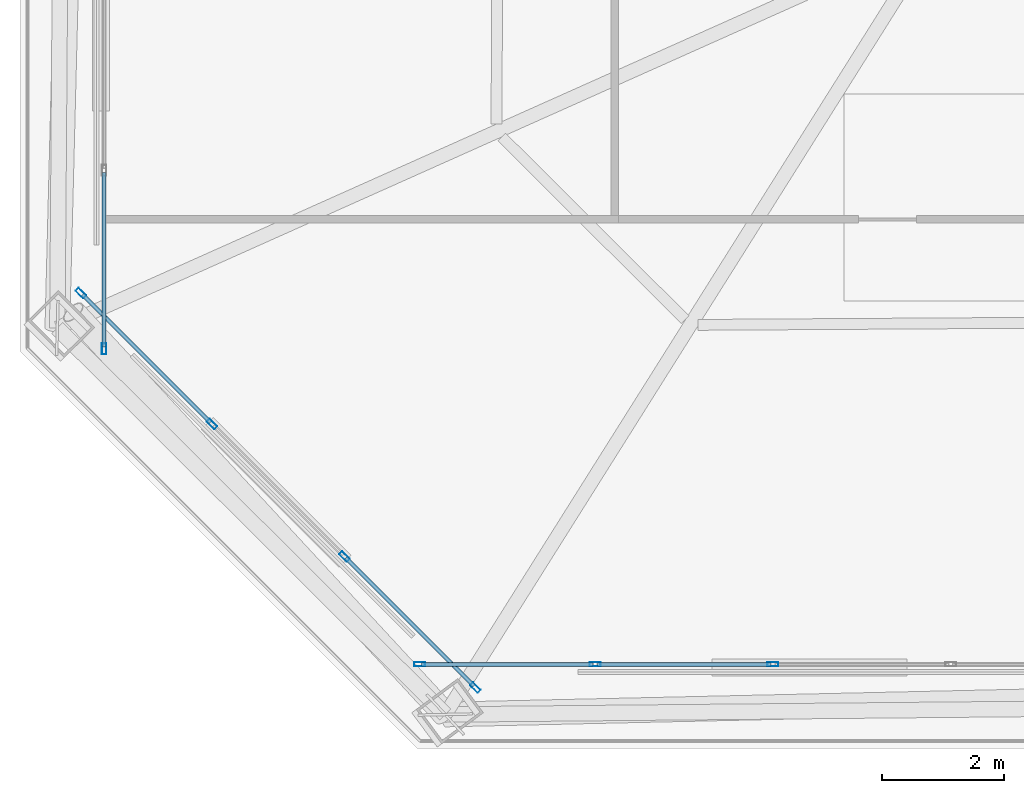
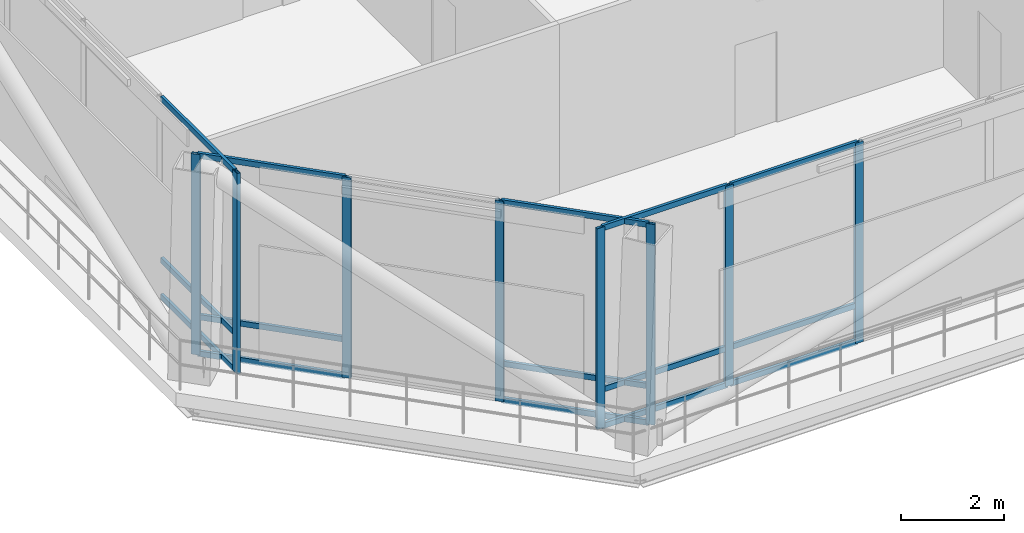
# One storey, part 2 of 34: 23 members, 3 elements without a shape of their own.
"""IFC4 building model written with IfcOpenShell, lengths in metres."""

from ifc_helpers import new_model, si_unit, direction, frame, origin, origin_2d, place, context, subcontext, project, spatial, hollow_rectangle, extrude, material, layer, layer_set, material_profile, profile_set, type_object, element, aggregate, save


model = new_model("IFC4")

# Units and contexts
model_context = context("Model", 3, precision=1e-05, world=origin(), true_north=direction((0.0, 1.0)))
body_context = subcontext(model_context, "Body", "Model", "MODEL_VIEW")
ifc_project = project(units=[si_unit("LENGTHUNIT", "METRE"), si_unit("AREAUNIT", "SQUARE_METRE"), si_unit("VOLUMEUNIT", "CUBIC_METRE"), si_unit("PLANEANGLEUNIT", "RADIAN"), si_unit("MASSUNIT", "GRAM", prefix="KILO")], contexts=[model_context])

# Site, building, storey
site_placement = place(None, origin())
site = spatial("IfcSite", under=ifc_project, at=site_placement, CompositionType="ELEMENT")
building_placement = place(site_placement, origin())
building = spatial("IfcBuilding", under=site, at=building_placement, Name="Caelvoria Tower", CompositionType="ELEMENT")
storey_placement = place(building_placement, frame((0.0, 0.0, 172.0)))
storey = spatial("IfcBuildingStorey", under=building, at=storey_placement, Name="L45", CompositionType="ELEMENT", Elevation=172.0)

# Curtain wall, members
ifc_material_1 = material(Name="Anodised Bronze Aluminium and Low-E Glass", Category="aluminium")
ifc_layer = layer(ifc_material_1, 0.2099609375, Name="Anodised Bronze Aluminium and Low-E Glass")
ifc_layer_set = layer_set([ifc_layer], Name="CW System 3 Sky Lobby Double-Height Acoustic Facade - Anodised Bronze Aluminium and Low-E Glass")
curtain_wall_type = type_object("IfcCurtainWallType", Name="CW System 3 Sky Lobby Double-Height Acoustic Facade", PredefinedType="NOTDEFINED", material=ifc_layer_set)
curtain_wall_1_placement = place(storey_placement, origin())
curtain_wall_1 = element("IfcCurtainWall", 1, at=curtain_wall_1_placement, inside=storey, type_object=curtain_wall_type, Name="CW-03 Curtain Wall L45-E0", PredefinedType="NOTDEFINED")
ifc_material_2 = material(Name="Anodised Bronze Architectural Aluminium", Category="aluminium")
ifc_material_profile_1 = material_profile(ifc_material_2, hollow_rectangle(XDim=0.070068359375, YDim=0.179931640625, WallThickness=0.00390625, at=origin_2d()), Name="Anodised Bronze Architectural Aluminium")
ifc_profile_set_1 = profile_set([ifc_material_profile_1], Name="CW_MULL_70X180 - Anodised Bronze Architectural Aluminium")
member_type_1 = type_object("IfcMemberType", Name="Curtain Wall Mullion 70x180 Bronze Aluminium", PredefinedType="MULLION", material=ifc_profile_set_1)
member_1_placement = place(storey_placement, frame((28.534912109375, 12.0400390625, 0.0), z_axis=(0.0, 0.0, 1.0), x_axis=(0.0, 1.0, 0.0)))
member_1 = element("IfcMember", 2, at=member_1_placement, type_object=member_type_1, Name="CW-03 mullion 1", PredefinedType="MULLION", context=body_context, shape_type="SweptSolid", body=[
    extrude(hollow_rectangle(XDim=0.070068359375, YDim=0.179931640625, WallThickness=0.00390625, at=origin_2d()), origin(), (0.0, 0.0, 1.0), 4.760009765625),
])
member_2_placement = place(storey_placement, frame((31.416748046875, 12.0400390625, 0.0), z_axis=(0.0, 0.0, 1.0), x_axis=(0.0, 1.0, 0.0)))
member_2 = element("IfcMember", 3, at=member_2_placement, type_object=member_type_1, Name="CW-03 mullion 2", PredefinedType="MULLION", context=body_context, shape_type="SweptSolid", body=[
    extrude(hollow_rectangle(XDim=0.070068359375, YDim=0.179931640625, WallThickness=0.00390625, at=origin_2d()), origin(), (0.0, 0.0, 1.0), 4.760009765625),
])
member_3_placement = place(storey_placement, frame((34.333251953125, 12.0400390625, 0.0), z_axis=(0.0, 0.0, 1.0), x_axis=(0.0, 1.0, 0.0)))
member_3 = element("IfcMember", 4, at=member_3_placement, type_object=member_type_1, Name="CW-03 mullion 3", PredefinedType="MULLION", context=body_context, shape_type="SweptSolid", body=[
    extrude(hollow_rectangle(XDim=0.070068359375, YDim=0.179931640625, WallThickness=0.00390625, at=origin_2d()), origin(), (0.0, 0.0, 1.0), 4.760009765625),
])

# Curtain wall, member
curtain_wall_2_placement = place(storey_placement, origin())
curtain_wall_2 = element("IfcCurtainWall", 5, at=curtain_wall_2_placement, inside=storey, type_object=curtain_wall_type, Name="CW-03 Curtain Wall L45-E6", PredefinedType="NOTDEFINED")
member_4_placement = place(storey_placement, frame((23.360107421875, 17.215087890625, 0.0), z_axis=(0.0, 0.0, 1.0), x_axis=(1.0, 0.0, 0.0)))
member_4 = element("IfcMember", 6, at=member_4_placement, type_object=member_type_1, Name="CW-03 mullion 11", PredefinedType="MULLION", context=body_context, shape_type="SweptSolid", body=[
    extrude(hollow_rectangle(XDim=0.070068359375, YDim=0.179931640625, WallThickness=0.00390625, at=origin_2d()), origin(), (0.0, 0.0, 1.0), 4.760009765625),
])

# Curtain wall, members
curtain_wall_3_placement = place(storey_placement, origin())
curtain_wall_3 = element("IfcCurtainWall", 7, at=curtain_wall_3_placement, inside=storey, type_object=curtain_wall_type, Name="CW-03 Curtain Wall L45-E7", PredefinedType="NOTDEFINED")
member_5_placement = place(storey_placement, frame((22.98046875, 18.131103515625, 0.0), z_axis=(0.0, 0.0, 1.0), x_axis=(0.707106781187, 0.707106781187, 0.0)))
member_5 = element("IfcMember", 8, at=member_5_placement, type_object=member_type_1, Name="CW-03 mullion 1", PredefinedType="MULLION", context=body_context, shape_type="SweptSolid", body=[
    extrude(hollow_rectangle(XDim=0.070068359375, YDim=0.179931640625, WallThickness=0.00390625, at=origin_2d()), origin(), (0.0, 0.0, 1.0), 4.760009765625),
])
member_6_placement = place(storey_placement, frame((25.129150390625, 15.982421875, 0.0), z_axis=(0.0, 0.0, 1.0), x_axis=(0.707106781187, 0.707106781187, 0.0)))
member_6 = element("IfcMember", 9, at=member_6_placement, type_object=member_type_1, Name="CW-03 mullion 2", PredefinedType="MULLION", context=body_context, shape_type="SweptSolid", body=[
    extrude(hollow_rectangle(XDim=0.070068359375, YDim=0.179931640625, WallThickness=0.00390625, at=origin_2d()), origin(), (0.0, 0.0, 1.0), 4.760009765625),
])
member_7_placement = place(storey_placement, frame((27.302490234375, 13.80908203125, 0.0), z_axis=(0.0, 0.0, 1.0), x_axis=(0.707106781187, 0.707106781187, 0.0)))
member_7 = element("IfcMember", 10, at=member_7_placement, type_object=member_type_1, Name="CW-03 mullion 3", PredefinedType="MULLION", context=body_context, shape_type="SweptSolid", body=[
    extrude(hollow_rectangle(XDim=0.070068359375, YDim=0.179931640625, WallThickness=0.00390625, at=origin_2d()), origin(), (0.0, 0.0, 1.0), 4.760009765625),
])
member_8_placement = place(storey_placement, frame((29.451171875, 11.66064453125, 0.0), z_axis=(0.0, 0.0, 1.0), x_axis=(0.707106781187, 0.707106781187, 0.0)))
member_8 = element("IfcMember", 11, at=member_8_placement, type_object=member_type_1, Name="CW-03 mullion 4", PredefinedType="MULLION", context=body_context, shape_type="SweptSolid", body=[
    extrude(hollow_rectangle(XDim=0.070068359375, YDim=0.179931640625, WallThickness=0.00390625, at=origin_2d()), origin(), (0.0, 0.0, 1.0), 4.760009765625),
])

# Member
ifc_material_profile_2 = material_profile(ifc_material_2, hollow_rectangle(XDim=0.06494140625, YDim=0.1298828125, WallThickness=0.00341796875, at=origin_2d()), Name="Anodised Bronze Architectural Aluminium")
ifc_profile_set_2 = profile_set([ifc_material_profile_2], Name="CW_TRAN_65X130 - Anodised Bronze Architectural Aluminium")
member_type_2 = type_object("IfcMemberType", Name="Curtain Wall Transom 65x130 Bronze Aluminium", PredefinedType="USERDEFINED", material=ifc_profile_set_2)
member_9_placement = place(storey_placement, frame((28.570068359375, 12.0400390625, 0.032470703125), z_axis=(1.0, 0.0, 0.0), x_axis=(0.0, 1.0, 0.0)))
member_9 = element("IfcMember", 12, at=member_9_placement, type_object=member_type_2, Name="CW-03 transom 1.1", ObjectType="TRANSOM", PredefinedType="USERDEFINED", context=body_context, shape_type="SweptSolid", body=[
    extrude(hollow_rectangle(XDim=0.06494140625, YDim=0.1298828125, WallThickness=0.00341796875, at=origin_2d()), origin(), (0.0, 0.0, 1.0), 2.8115234375),
])

member_10_placement = place(storey_placement, frame((28.570068359375, 12.0400390625, 0.89990234375), z_axis=(1.0, 0.0, 0.0), x_axis=(0.0, 1.0, 0.0)))
member_10 = element("IfcMember", 13, at=member_10_placement, type_object=member_type_2, Name="CW-03 transom 1.2", ObjectType="TRANSOM", PredefinedType="USERDEFINED", context=body_context, shape_type="SweptSolid", body=[
    extrude(hollow_rectangle(XDim=0.06494140625, YDim=0.1298828125, WallThickness=0.00341796875, at=origin_2d()), origin(), (0.0, 0.0, 1.0), 2.8115234375),
])

member_11_placement = place(storey_placement, frame((28.570068359375, 12.0400390625, 4.7275390625), z_axis=(1.0, 0.0, 0.0), x_axis=(0.0, 1.0, 0.0)))
member_11 = element("IfcMember", 14, at=member_11_placement, type_object=member_type_2, Name="CW-03 transom 1.3", ObjectType="TRANSOM", PredefinedType="USERDEFINED", context=body_context, shape_type="SweptSolid", body=[
    extrude(hollow_rectangle(XDim=0.06494140625, YDim=0.1298828125, WallThickness=0.00341796875, at=origin_2d()), origin(), (0.0, 0.0, 1.0), 2.8115234375),
])

member_12_placement = place(storey_placement, frame((31.45166015625, 12.0400390625, 0.032470703125), z_axis=(1.0, 0.0, 0.0), x_axis=(0.0, 1.0, 0.0)))
member_12 = element("IfcMember", 15, at=member_12_placement, type_object=member_type_2, Name="CW-03 transom 2.1", ObjectType="TRANSOM", PredefinedType="USERDEFINED", context=body_context, shape_type="SweptSolid", body=[
    extrude(hollow_rectangle(XDim=0.06494140625, YDim=0.1298828125, WallThickness=0.00341796875, at=origin_2d()), origin(), (0.0, 0.0, 1.0), 2.8466796875),
])

member_13_placement = place(storey_placement, frame((31.45166015625, 12.0400390625, 0.89990234375), z_axis=(1.0, 0.0, 0.0), x_axis=(0.0, 1.0, 0.0)))
member_13 = element("IfcMember", 16, at=member_13_placement, type_object=member_type_2, Name="CW-03 transom 2.2", ObjectType="TRANSOM", PredefinedType="USERDEFINED", context=body_context, shape_type="SweptSolid", body=[
    extrude(hollow_rectangle(XDim=0.06494140625, YDim=0.1298828125, WallThickness=0.00341796875, at=origin_2d()), origin(), (0.0, 0.0, 1.0), 2.8466796875),
])

member_14_placement = place(storey_placement, frame((31.45166015625, 12.0400390625, 4.7275390625), z_axis=(1.0, 0.0, 0.0), x_axis=(0.0, 1.0, 0.0)))
member_14 = element("IfcMember", 17, at=member_14_placement, type_object=member_type_2, Name="CW-03 transom 2.3", ObjectType="TRANSOM", PredefinedType="USERDEFINED", context=body_context, shape_type="SweptSolid", body=[
    extrude(hollow_rectangle(XDim=0.06494140625, YDim=0.1298828125, WallThickness=0.00341796875, at=origin_2d()), origin(), (0.0, 0.0, 1.0), 2.8466796875),
])

aggregate(curtain_wall_1, [member_1, member_2, member_3, member_9, member_10, member_11, member_12, member_13, member_14])

member_15_placement = place(storey_placement, frame((23.360107421875, 20.10888671875, 0.032470703125), z_axis=(0.0, -1.0, 0.0), x_axis=(1.0, 0.0, 0.0)))
member_15 = element("IfcMember", 18, at=member_15_placement, type_object=member_type_2, Name="CW-03 transom 10.1", ObjectType="TRANSOM", PredefinedType="USERDEFINED", context=body_context, shape_type="SweptSolid", body=[
    extrude(hollow_rectangle(XDim=0.06494140625, YDim=0.1298828125, WallThickness=0.00341796875, at=origin_2d()), origin(), (0.0, 0.0, 1.0), 2.85888671875),
])

member_16_placement = place(storey_placement, frame((23.360107421875, 20.10888671875, 0.89990234375), z_axis=(0.0, -1.0, 0.0), x_axis=(1.0, 0.0, 0.0)))
member_16 = element("IfcMember", 19, at=member_16_placement, type_object=member_type_2, Name="CW-03 transom 10.2", ObjectType="TRANSOM", PredefinedType="USERDEFINED", context=body_context, shape_type="SweptSolid", body=[
    extrude(hollow_rectangle(XDim=0.06494140625, YDim=0.1298828125, WallThickness=0.00341796875, at=origin_2d()), origin(), (0.0, 0.0, 1.0), 2.85888671875),
])

member_17_placement = place(storey_placement, frame((23.360107421875, 20.10888671875, 4.7275390625), z_axis=(0.0, -1.0, 0.0), x_axis=(1.0, 0.0, 0.0)))
member_17 = element("IfcMember", 20, at=member_17_placement, type_object=member_type_2, Name="CW-03 transom 10.3", ObjectType="TRANSOM", PredefinedType="USERDEFINED", context=body_context, shape_type="SweptSolid", body=[
    extrude(hollow_rectangle(XDim=0.06494140625, YDim=0.1298828125, WallThickness=0.00341796875, at=origin_2d()), origin(), (0.0, 0.0, 1.0), 2.85888671875),
])

aggregate(curtain_wall_2, [member_4, member_15, member_16, member_17])

member_18_placement = place(storey_placement, frame((23.00537109375, 18.106201171875, 0.032470703125), z_axis=(0.707147902804, -0.707065657177, 0.0), x_axis=(0.707065657177, 0.707147902804, 0.0)))
member_18 = element("IfcMember", 21, at=member_18_placement, type_object=member_type_2, Name="CW-03 transom 1.1", ObjectType="TRANSOM", PredefinedType="USERDEFINED", context=body_context, shape_type="SweptSolid", body=[
    extrude(hollow_rectangle(XDim=0.06494140625, YDim=0.1298828125, WallThickness=0.00341796875, at=origin_2d()), origin(), (0.0, 0.0, 1.0), 2.968505859375),
])

member_19_placement = place(storey_placement, frame((23.00537109375, 18.106201171875, 0.89990234375), z_axis=(0.707147902804, -0.707065657177, 0.0), x_axis=(0.707065657177, 0.707147902804, 0.0)))
member_19 = element("IfcMember", 22, at=member_19_placement, type_object=member_type_2, Name="CW-03 transom 1.2", ObjectType="TRANSOM", PredefinedType="USERDEFINED", context=body_context, shape_type="SweptSolid", body=[
    extrude(hollow_rectangle(XDim=0.06494140625, YDim=0.1298828125, WallThickness=0.00341796875, at=origin_2d()), origin(), (0.0, 0.0, 1.0), 2.968505859375),
])

member_20_placement = place(storey_placement, frame((23.00537109375, 18.106201171875, 4.7275390625), z_axis=(0.707147902804, -0.707065657177, 0.0), x_axis=(0.707065657177, 0.707147902804, 0.0)))
member_20 = element("IfcMember", 23, at=member_20_placement, type_object=member_type_2, Name="CW-03 transom 1.3", ObjectType="TRANSOM", PredefinedType="USERDEFINED", context=body_context, shape_type="SweptSolid", body=[
    extrude(hollow_rectangle(XDim=0.06494140625, YDim=0.1298828125, WallThickness=0.00341796875, at=origin_2d()), origin(), (0.0, 0.0, 1.0), 2.968505859375),
])

member_21_placement = place(storey_placement, frame((27.3271484375, 13.784423828125, 0.032470703125), z_axis=(0.707106781187, -0.707106781187, 0.0), x_axis=(0.707106781187, 0.707106781187, 0.0)))
member_21 = element("IfcMember", 24, at=member_21_placement, type_object=member_type_2, Name="CW-03 transom 3.1", ObjectType="TRANSOM", PredefinedType="USERDEFINED", context=body_context, shape_type="SweptSolid", body=[
    extrude(hollow_rectangle(XDim=0.06494140625, YDim=0.1298828125, WallThickness=0.00341796875, at=origin_2d()), origin(), (0.0, 0.0, 1.0), 2.968505859375),
])

member_22_placement = place(storey_placement, frame((27.3271484375, 13.784423828125, 0.89990234375), z_axis=(0.707106781187, -0.707106781187, 0.0), x_axis=(0.707106781187, 0.707106781187, 0.0)))
member_22 = element("IfcMember", 25, at=member_22_placement, type_object=member_type_2, Name="CW-03 transom 3.2", ObjectType="TRANSOM", PredefinedType="USERDEFINED", context=body_context, shape_type="SweptSolid", body=[
    extrude(hollow_rectangle(XDim=0.06494140625, YDim=0.1298828125, WallThickness=0.00341796875, at=origin_2d()), origin(), (0.0, 0.0, 1.0), 2.968505859375),
])

member_23_placement = place(storey_placement, frame((27.3271484375, 13.784423828125, 4.7275390625), z_axis=(0.707106781187, -0.707106781187, 0.0), x_axis=(0.707106781187, 0.707106781187, 0.0)))
member_23 = element("IfcMember", 26, at=member_23_placement, type_object=member_type_2, Name="CW-03 transom 3.3", ObjectType="TRANSOM", PredefinedType="USERDEFINED", context=body_context, shape_type="SweptSolid", body=[
    extrude(hollow_rectangle(XDim=0.06494140625, YDim=0.1298828125, WallThickness=0.00341796875, at=origin_2d()), origin(), (0.0, 0.0, 1.0), 2.968505859375),
])

aggregate(curtain_wall_3, [member_5, member_6, member_7, member_8, member_18, member_19, member_20, member_21, member_22, member_23])

save(model, "model.ifc")
